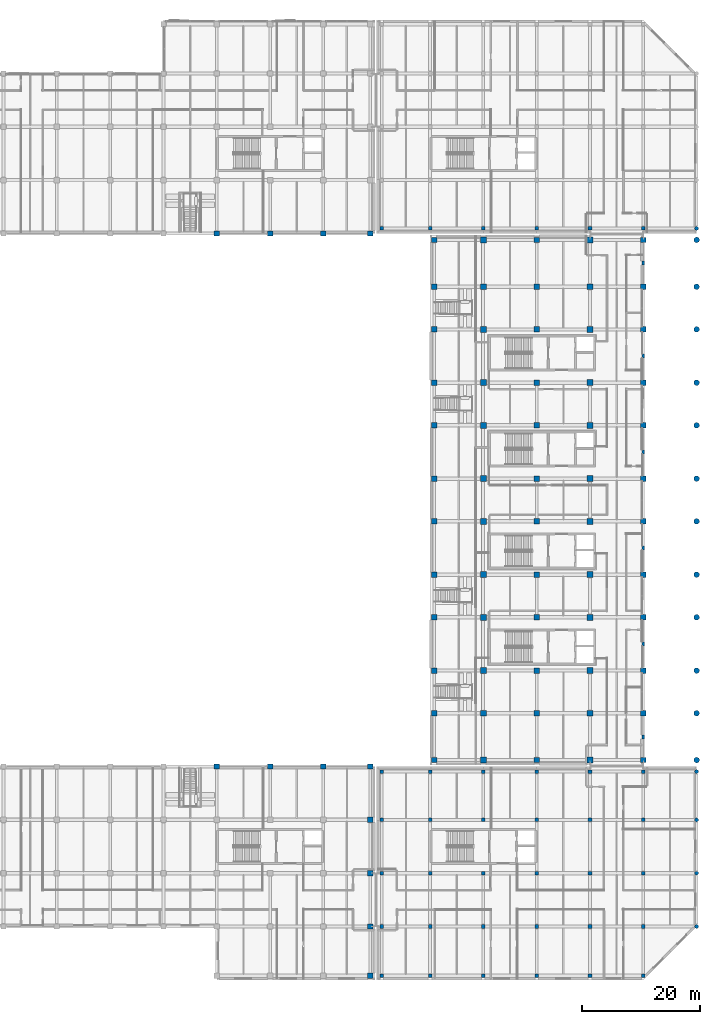
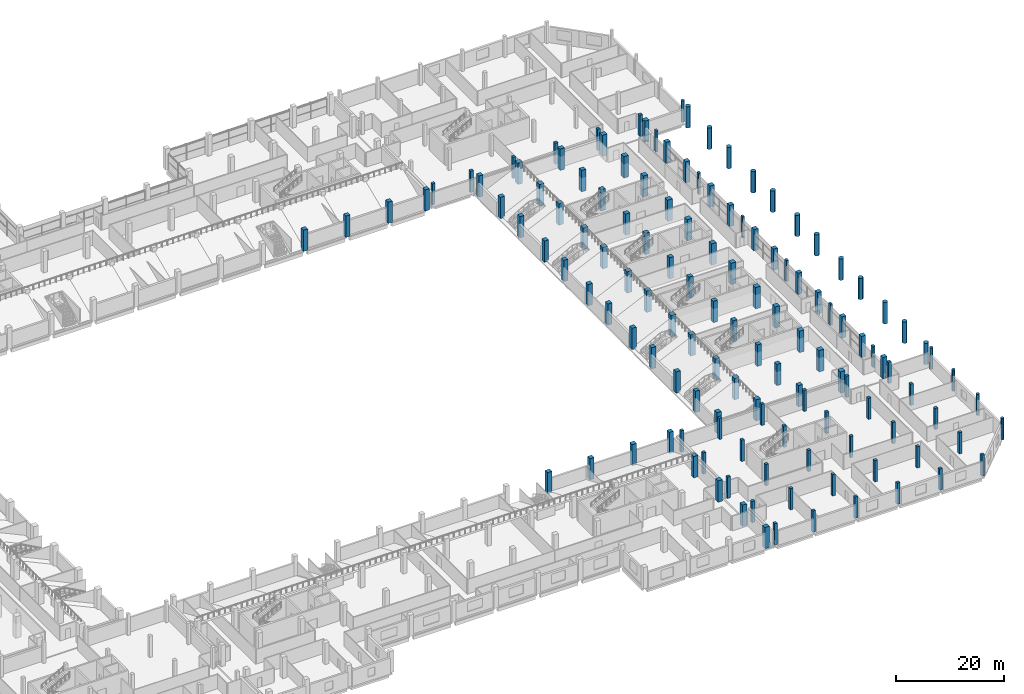
# One storey, part 2 of 100: 131 columns.
"""IFC4 building model written with IfcOpenShell, lengths in metres."""

from ifc_helpers import new_model, si_unit, direction, frame, origin, origin_2d, place, context, subcontext, project, spatial, rectangle, circle, extrude, material, material_profile, profile_set, type_object, element, save


model = new_model("IFC4")

# Units and contexts
model_context = context("Model", 3, precision=1e-05, world=origin(), true_north=direction((0.0, 1.0)))
body_context = subcontext(model_context, "Body", "Model", "MODEL_VIEW")
ifc_project = project(units=[si_unit("LENGTHUNIT", "METRE"), si_unit("AREAUNIT", "SQUARE_METRE"), si_unit("VOLUMEUNIT", "CUBIC_METRE"), si_unit("PLANEANGLEUNIT", "RADIAN"), si_unit("MASSUNIT", "GRAM", prefix="KILO"), si_unit("THERMODYNAMICTEMPERATUREUNIT", "KELVIN"), si_unit("POWERUNIT", "WATT")], contexts=[model_context])

# Site, building, storey
site_placement = place(None, origin())
site = spatial("IfcSite", under=ifc_project, at=site_placement, CompositionType="ELEMENT")
building_placement = place(site_placement, origin())
building = spatial("IfcBuilding", under=site, at=building_placement, Name="Sindhuravela Promenade Stadium", CompositionType="ELEMENT")
storey_placement = place(building_placement, frame((0.0, 0.0, 4.800048828125)))
storey = spatial("IfcBuildingStorey", under=building, at=storey_placement, Name="L01", CompositionType="ELEMENT", Elevation=4.800048828125)

# Columns
ifc_material_1 = material(Name="Concrete M50", Category="concrete")
ifc_material_profile_1 = material_profile(ifc_material_1, rectangle(XDim=1.0, YDim=1.0, at=origin_2d()), Name="RC 1000x1000")
ifc_profile_set_1 = profile_set([ifc_material_profile_1], Name="Concrete M50")
column_type_1 = type_object("IfcColumnType", Name="RC-CL-1000x1000", PredefinedType="COLUMN", material=ifc_profile_set_1)
for number, where, z_axis, x_axis, name in (
    (1, (180.0, 37.10009765625, 0.0), (0.0, 0.0, 1.0), (1.0, 0.0, 0.0), "Column C06 EAST L01"),
    (2, (180.0, 45.0, 0.0), (0.0, 0.0, 1.0), (1.0, 0.0, 0.0), "Column C06 EAST L01"),
    (3, (180.0, 52.199951171875, 0.0), (0.0, 0.0, 1.0), (1.0, 0.0, 0.0), "Column C06 EAST L01"),
    (4, (180.0, 61.199951171875, 0.0), (0.0, 0.0, 1.0), (1.0, 0.0, 0.0), "Column C06 EAST L01"),
    (5, (180.0, 68.39990234375, 0.0), (0.0, 0.0, 1.0), (1.0, 0.0, 0.0), "Column C06 EAST L01"),
    (6, (180.0, 77.39990234375, 0.0), (0.0, 0.0, 1.0), (1.0, 0.0, 0.0), "Column C06 EAST L01"),
    (7, (180.0, 84.60009765625, 0.0), (0.0, 0.0, 1.0), (1.0, 0.0, 0.0), "Column C06 EAST L01"),
    (8, (180.0, 93.60009765625, 0.0), (0.0, 0.0, 1.0), (1.0, 0.0, 0.0), "Column C06 EAST L01"),
    (9, (180.0, 100.800048828125, 0.0), (0.0, 0.0, 1.0), (1.0, 0.0, 0.0), "Column C06 EAST L01"),
    (10, (180.0, 109.800048828125, 0.0), (0.0, 0.0, 1.0), (1.0, 0.0, 0.0), "Column C06 EAST L01"),
    (11, (180.0, 117.0, 0.0), (0.0, 0.0, 1.0), (1.0, 0.0, 0.0), "Column C06 EAST L01"),
    (12, (180.0, 124.89990234375, 0.0), (0.0, 0.0, 1.0), (1.0, 0.0, 0.0), "Column C06 EAST L01"),
    (13, (198.0, 37.10009765625, 0.0), (0.0, 0.0, 1.0), (1.0, 0.0, 0.0), "Column C06 EAST L01"),
    (14, (198.0, 45.0, 0.0), (0.0, 0.0, 1.0), (1.0, 0.0, 0.0), "Column C06 EAST L01"),
    (15, (198.0, 52.199951171875, 0.0), (0.0, 0.0, 1.0), (1.0, 0.0, 0.0), "Column C06 EAST L01"),
    (16, (198.0, 61.199951171875, 0.0), (0.0, 0.0, 1.0), (1.0, 0.0, 0.0), "Column C06 EAST L01"),
    (17, (198.0, 68.39990234375, 0.0), (0.0, 0.0, 1.0), (1.0, 0.0, 0.0), "Column C06 EAST L01"),
    (18, (198.0, 77.39990234375, 0.0), (0.0, 0.0, 1.0), (1.0, 0.0, 0.0), "Column C06 EAST L01"),
    (19, (198.0, 84.60009765625, 0.0), (0.0, 0.0, 1.0), (1.0, 0.0, 0.0), "Column C06 EAST L01"),
    (20, (198.0, 93.60009765625, 0.0), (0.0, 0.0, 1.0), (1.0, 0.0, 0.0), "Column C06 EAST L01"),
    (21, (198.0, 100.800048828125, 0.0), (0.0, 0.0, 1.0), (1.0, 0.0, 0.0), "Column C06 EAST L01"),
    (22, (198.0, 109.800048828125, 0.0), (0.0, 0.0, 1.0), (1.0, 0.0, 0.0), "Column C06 EAST L01"),
    (23, (198.0, 117.0, 0.0), (0.0, 0.0, 1.0), (1.0, 0.0, 0.0), "Column C06 EAST L01"),
    (24, (198.0, 124.89990234375, 0.0), (0.0, 0.0, 1.0), (1.0, 0.0, 0.0), "Column C06 EAST L01"),
):
    element("IfcColumn", number, at=place(storey_placement, frame(where, z_axis=z_axis, x_axis=x_axis)), inside=storey, type_object=column_type_1, Name=name, PredefinedType="COLUMN", context=body_context, shape_type="SweptSolid", body=[
        extrude(rectangle(XDim=1.0, YDim=1.0, at=origin_2d()), origin(), (0.0, 0.0, 1.0), 4.800048828125),
    ])
ifc_material_2 = material(Name="Concrete M40", Category="concrete")
ifc_material_profile_2 = material_profile(ifc_material_2, rectangle(XDim=0.60009765625, YDim=0.60009765625, at=origin_2d()), Name="RC 600x600")
ifc_profile_set_2 = profile_set([ifc_material_profile_2], Name="Concrete M40")
column_type_2 = type_object("IfcColumnType", Name="RC-CL-600x600", PredefinedType="COLUMN", material=ifc_profile_set_2)
for number, where, z_axis, x_axis, name in (
    (25, (162.85009765625, 0.699951171875, 0.0), (0.0, 0.0, 1.0), (1.0, 0.0, 0.0), "Column C17 Pavilion SE L01"),
    (26, (162.85009765625, 9.0, 0.0), (0.0, 0.0, 1.0), (1.0, 0.0, 0.0), "Column C17 Pavilion SE L01"),
    (27, (162.85009765625, 18.0, 0.0), (0.0, 0.0, 1.0), (1.0, 0.0, 0.0), "Column C17 Pavilion SE L01"),
    (28, (162.85009765625, 27.0, 0.0), (0.0, 0.0, 1.0), (1.0, 0.0, 0.0), "Column C17 Pavilion SE L01"),
    (29, (162.85009765625, 35.14990234375, 0.0), (0.0, 0.0, 1.0), (1.0, 0.0, 0.0), "Column C17 Pavilion SE L01"),
    (30, (171.0, 0.699951171875, 0.0), (0.0, 0.0, 1.0), (1.0, 0.0, 0.0), "Column C17 Pavilion SE L01"),
    (31, (171.0, 9.0, 0.0), (0.0, 0.0, 1.0), (1.0, 0.0, 0.0), "Column C17 Pavilion SE L01"),
    (32, (171.0, 18.0, 0.0), (0.0, 0.0, 1.0), (1.0, 0.0, 0.0), "Column C17 Pavilion SE L01"),
    (33, (171.0, 27.0, 0.0), (0.0, 0.0, 1.0), (1.0, 0.0, 0.0), "Column C17 Pavilion SE L01"),
    (34, (171.0, 35.14990234375, 0.0), (0.0, 0.0, 1.0), (1.0, 0.0, 0.0), "Column C17 Pavilion SE L01"),
    (35, (180.0, 0.699951171875, 0.0), (0.0, 0.0, 1.0), (1.0, 0.0, 0.0), "Column C17 Pavilion SE L01"),
    (36, (180.0, 9.0, 0.0), (0.0, 0.0, 1.0), (1.0, 0.0, 0.0), "Column C17 Pavilion SE L01"),
    (37, (180.0, 18.0, 0.0), (0.0, 0.0, 1.0), (1.0, 0.0, 0.0), "Column C17 Pavilion SE L01"),
    (38, (180.0, 27.0, 0.0), (0.0, 0.0, 1.0), (1.0, 0.0, 0.0), "Column C17 Pavilion SE L01"),
    (39, (180.0, 35.14990234375, 0.0), (0.0, 0.0, 1.0), (1.0, 0.0, 0.0), "Column C17 Pavilion SE L01"),
    (40, (189.0, 0.699951171875, 0.0), (0.0, 0.0, 1.0), (1.0, 0.0, 0.0), "Column C17 Pavilion SE L01"),
    (41, (189.0, 9.0, 0.0), (0.0, 0.0, 1.0), (1.0, 0.0, 0.0), "Column C17 Pavilion SE L01"),
    (42, (189.0, 18.0, 0.0), (0.0, 0.0, 1.0), (1.0, 0.0, 0.0), "Column C17 Pavilion SE L01"),
    (43, (189.0, 27.0, 0.0), (0.0, 0.0, 1.0), (1.0, 0.0, 0.0), "Column C17 Pavilion SE L01"),
    (44, (189.0, 35.14990234375, 0.0), (0.0, 0.0, 1.0), (1.0, 0.0, 0.0), "Column C17 Pavilion SE L01"),
    (45, (198.0, 0.699951171875, 0.0), (0.0, 0.0, 1.0), (1.0, 0.0, 0.0), "Column C17 Pavilion SE L01"),
    (46, (198.0, 9.0, 0.0), (0.0, 0.0, 1.0), (1.0, 0.0, 0.0), "Column C17 Pavilion SE L01"),
    (47, (198.0, 18.0, 0.0), (0.0, 0.0, 1.0), (1.0, 0.0, 0.0), "Column C17 Pavilion SE L01"),
    (48, (198.0, 27.0, 0.0), (0.0, 0.0, 1.0), (1.0, 0.0, 0.0), "Column C17 Pavilion SE L01"),
    (49, (198.0, 35.14990234375, 0.0), (0.0, 0.0, 1.0), (1.0, 0.0, 0.0), "Column C17 Pavilion SE L01"),
    (50, (207.0, 0.699951171875, 0.0), (0.0, 0.0, 1.0), (1.0, 0.0, 0.0), "Column C17 Pavilion SE L01"),
    (51, (207.0, 9.0, 0.0), (0.0, 0.0, 1.0), (1.0, 0.0, 0.0), "Column C17 Pavilion SE L01"),
    (52, (207.0, 18.0, 0.0), (0.0, 0.0, 1.0), (1.0, 0.0, 0.0), "Column C17 Pavilion SE L01"),
    (53, (207.0, 27.0, 0.0), (0.0, 0.0, 1.0), (1.0, 0.0, 0.0), "Column C17 Pavilion SE L01"),
    (54, (207.0, 35.14990234375, 0.0), (0.0, 0.0, 1.0), (1.0, 0.0, 0.0), "Column C17 Pavilion SE L01"),
    (55, (162.85009765625, 126.85009765625, 0.0), (0.0, 0.0, 1.0), (1.0, 0.0, 0.0), "Column C17 Pavilion NE L01"),
    (56, (171.0, 126.85009765625, 0.0), (0.0, 0.0, 1.0), (1.0, 0.0, 0.0), "Column C17 Pavilion NE L01"),
    (57, (180.0, 126.85009765625, 0.0), (0.0, 0.0, 1.0), (1.0, 0.0, 0.0), "Column C17 Pavilion NE L01"),
    (58, (189.0, 126.85009765625, 0.0), (0.0, 0.0, 1.0), (1.0, 0.0, 0.0), "Column C17 Pavilion NE L01"),
    (59, (198.0, 126.85009765625, 0.0), (0.0, 0.0, 1.0), (1.0, 0.0, 0.0), "Column C17 Pavilion NE L01"),
    (60, (207.0, 126.85009765625, 0.0), (0.0, 0.0, 1.0), (1.0, 0.0, 0.0), "Column C17 Pavilion NE L01"),
):
    element("IfcColumn", number, at=place(storey_placement, frame(where, z_axis=z_axis, x_axis=x_axis)), inside=storey, type_object=column_type_2, Name=name, PredefinedType="COLUMN", context=body_context, shape_type="SweptSolid", body=[
        extrude(rectangle(XDim=0.60009765625, YDim=0.60009765625, at=origin_2d()), origin(), (0.0, 0.0, 1.0), 4.800048828125),
    ])
ifc_material_profile_3 = material_profile(ifc_material_2, rectangle(XDim=0.89990234375, YDim=0.89990234375, at=origin_2d()), Name="RC 900x900")
ifc_profile_set_3 = profile_set([ifc_material_profile_3], Name="Concrete M40")
column_type_3 = type_object("IfcColumnType", Name="RC-CL-900x900", PredefinedType="COLUMN", material=ifc_profile_set_3)
for number, where, z_axis, x_axis, name in (
    (61, (171.699951171875, 37.10009765625, 0.0), (0.0, 0.0, 1.0), (1.0, 0.0, 0.0), "Column C08 EAST L01"),
    (62, (171.699951171875, 45.0, 0.0), (0.0, 0.0, 1.0), (1.0, 0.0, 0.0), "Column C08 EAST L01"),
    (63, (171.699951171875, 52.199951171875, 0.0), (0.0, 0.0, 1.0), (1.0, 0.0, 0.0), "Column C08 EAST L01"),
    (64, (171.699951171875, 61.199951171875, 0.0), (0.0, 0.0, 1.0), (1.0, 0.0, 0.0), "Column C08 EAST L01"),
    (65, (171.699951171875, 68.39990234375, 0.0), (0.0, 0.0, 1.0), (1.0, 0.0, 0.0), "Column C08 EAST L01"),
    (66, (171.699951171875, 77.39990234375, 0.0), (0.0, 0.0, 1.0), (1.0, 0.0, 0.0), "Column C08 EAST L01"),
    (67, (171.699951171875, 84.60009765625, 0.0), (0.0, 0.0, 1.0), (1.0, 0.0, 0.0), "Column C08 EAST L01"),
    (68, (171.699951171875, 93.60009765625, 0.0), (0.0, 0.0, 1.0), (1.0, 0.0, 0.0), "Column C08 EAST L01"),
    (69, (171.699951171875, 100.800048828125, 0.0), (0.0, 0.0, 1.0), (1.0, 0.0, 0.0), "Column C08 EAST L01"),
    (70, (171.699951171875, 109.800048828125, 0.0), (0.0, 0.0, 1.0), (1.0, 0.0, 0.0), "Column C08 EAST L01"),
    (71, (171.699951171875, 117.0, 0.0), (0.0, 0.0, 1.0), (1.0, 0.0, 0.0), "Column C08 EAST L01"),
    (72, (171.699951171875, 124.89990234375, 0.0), (0.0, 0.0, 1.0), (1.0, 0.0, 0.0), "Column C08 EAST L01"),
    (73, (189.0, 37.10009765625, 0.0), (0.0, 0.0, 1.0), (1.0, 0.0, 0.0), "Column C08 EAST L01"),
    (74, (189.0, 45.0, 0.0), (0.0, 0.0, 1.0), (1.0, 0.0, 0.0), "Column C08 EAST L01"),
    (75, (189.0, 52.199951171875, 0.0), (0.0, 0.0, 1.0), (1.0, 0.0, 0.0), "Column C08 EAST L01"),
    (76, (189.0, 61.199951171875, 0.0), (0.0, 0.0, 1.0), (1.0, 0.0, 0.0), "Column C08 EAST L01"),
    (77, (189.0, 68.39990234375, 0.0), (0.0, 0.0, 1.0), (1.0, 0.0, 0.0), "Column C08 EAST L01"),
    (78, (189.0, 77.39990234375, 0.0), (0.0, 0.0, 1.0), (1.0, 0.0, 0.0), "Column C08 EAST L01"),
    (79, (189.0, 84.60009765625, 0.0), (0.0, 0.0, 1.0), (1.0, 0.0, 0.0), "Column C08 EAST L01"),
    (80, (189.0, 93.60009765625, 0.0), (0.0, 0.0, 1.0), (1.0, 0.0, 0.0), "Column C08 EAST L01"),
    (81, (189.0, 100.800048828125, 0.0), (0.0, 0.0, 1.0), (1.0, 0.0, 0.0), "Column C08 EAST L01"),
    (82, (189.0, 109.800048828125, 0.0), (0.0, 0.0, 1.0), (1.0, 0.0, 0.0), "Column C08 EAST L01"),
    (83, (189.0, 117.0, 0.0), (0.0, 0.0, 1.0), (1.0, 0.0, 0.0), "Column C08 EAST L01"),
    (84, (189.0, 124.89990234375, 0.0), (0.0, 0.0, 1.0), (1.0, 0.0, 0.0), "Column C08 EAST L01"),
    (85, (207.0, 37.10009765625, 0.0), (0.0, 0.0, 1.0), (1.0, 0.0, 0.0), "Column C08 EAST L01"),
    (86, (207.0, 45.0, 0.0), (0.0, 0.0, 1.0), (1.0, 0.0, 0.0), "Column C08 EAST L01"),
    (87, (207.0, 52.199951171875, 0.0), (0.0, 0.0, 1.0), (1.0, 0.0, 0.0), "Column C08 EAST L01"),
    (88, (207.0, 61.199951171875, 0.0), (0.0, 0.0, 1.0), (1.0, 0.0, 0.0), "Column C08 EAST L01"),
    (89, (207.0, 68.39990234375, 0.0), (0.0, 0.0, 1.0), (1.0, 0.0, 0.0), "Column C08 EAST L01"),
    (90, (207.0, 77.39990234375, 0.0), (0.0, 0.0, 1.0), (1.0, 0.0, 0.0), "Column C08 EAST L01"),
    (91, (207.0, 84.60009765625, 0.0), (0.0, 0.0, 1.0), (1.0, 0.0, 0.0), "Column C08 EAST L01"),
    (92, (207.0, 93.60009765625, 0.0), (0.0, 0.0, 1.0), (1.0, 0.0, 0.0), "Column C08 EAST L01"),
    (93, (207.0, 100.800048828125, 0.0), (0.0, 0.0, 1.0), (1.0, 0.0, 0.0), "Column C08 EAST L01"),
    (94, (207.0, 109.800048828125, 0.0), (0.0, 0.0, 1.0), (1.0, 0.0, 0.0), "Column C08 EAST L01"),
    (95, (207.0, 117.0, 0.0), (0.0, 0.0, 1.0), (1.0, 0.0, 0.0), "Column C08 EAST L01"),
    (96, (207.0, 124.89990234375, 0.0), (0.0, 0.0, 1.0), (1.0, 0.0, 0.0), "Column C08 EAST L01"),
    (97, (135.0, 126.0, 0.0), (0.0, 0.0, 1.0), (1.0, 0.0, 0.0), "Column C08 NORTH L01"),
    (98, (144.0, 126.0, 0.0), (0.0, 0.0, 1.0), (1.0, 0.0, 0.0), "Column C08 NORTH L01"),
    (99, (153.0, 126.0, 0.0), (0.0, 0.0, 1.0), (1.0, 0.0, 0.0), "Column C08 NORTH L01"),
    (100, (160.89990234375, 126.0, 0.0), (0.0, 0.0, 1.0), (1.0, 0.0, 0.0), "Column C08 NORTH L01"),
    (101, (135.0, 36.0, 0.0), (0.0, 0.0, 1.0), (1.0, 0.0, 0.0), "Column C08 SOUTH L01"),
    (102, (144.0, 36.0, 0.0), (0.0, 0.0, 1.0), (1.0, 0.0, 0.0), "Column C08 SOUTH L01"),
    (103, (153.0, 36.0, 0.0), (0.0, 0.0, 1.0), (1.0, 0.0, 0.0), "Column C08 SOUTH L01"),
    (104, (160.89990234375, 0.699951171875, 0.0), (0.0, 0.0, 1.0), (1.0, 0.0, 0.0), "Column C08 SOUTH L01"),
    (105, (160.89990234375, 9.0, 0.0), (0.0, 0.0, 1.0), (1.0, 0.0, 0.0), "Column C08 SOUTH L01"),
    (106, (160.89990234375, 18.0, 0.0), (0.0, 0.0, 1.0), (1.0, 0.0, 0.0), "Column C08 SOUTH L01"),
    (107, (160.89990234375, 27.0, 0.0), (0.0, 0.0, 1.0), (1.0, 0.0, 0.0), "Column C08 SOUTH L01"),
    (108, (160.89990234375, 36.0, 0.0), (0.0, 0.0, 1.0), (1.0, 0.0, 0.0), "Column C08 SOUTH L01"),
):
    element("IfcColumn", number, at=place(storey_placement, frame(where, z_axis=z_axis, x_axis=x_axis)), inside=storey, type_object=column_type_3, Name=name, PredefinedType="COLUMN", context=body_context, shape_type="SweptSolid", body=[
        extrude(rectangle(XDim=0.89990234375, YDim=0.89990234375, at=origin_2d()), origin(), (0.0, 0.0, 1.0), 4.800048828125),
    ])
ifc_material_profile_4 = material_profile(ifc_material_2, circle(Radius=0.324951171875, at=origin_2d()), Name="RC D650")
ifc_profile_set_4 = profile_set([ifc_material_profile_4], Name="Concrete M40")
column_type_4 = type_object("IfcColumnType", Name="RC-CL-D650", PredefinedType="COLUMN", material=ifc_profile_set_4)
for number, where, z_axis, x_axis, name in (
    (109, (216.0, 9.0, 0.0), (0.0, 0.0, 1.0), (1.0, 0.0, 0.0), "Column CD4 Pavilion SE L01"),
    (110, (216.0, 18.0, 0.0), (0.0, 0.0, 1.0), (1.0, 0.0, 0.0), "Column CD4 Pavilion SE L01"),
    (111, (216.0, 27.0, 0.0), (0.0, 0.0, 1.0), (1.0, 0.0, 0.0), "Column CD4 Pavilion SE L01"),
    (112, (216.0, 35.14990234375, 0.0), (0.0, 0.0, 1.0), (1.0, 0.0, 0.0), "Column CD4 Pavilion SE L01"),
    (113, (216.0, 126.85009765625, 0.0), (0.0, 0.0, 1.0), (1.0, 0.0, 0.0), "Column CD4 Pavilion NE L01"),
):
    element("IfcColumn", number, at=place(storey_placement, frame(where, z_axis=z_axis, x_axis=x_axis)), inside=storey, type_object=column_type_4, Name=name, PredefinedType="COLUMN", context=body_context, shape_type="SweptSolid", body=[
        extrude(circle(Radius=0.324951171875, at=origin_2d()), origin(), (0.0, 0.0, 1.0), 4.800048828125),
    ])
ifc_material_profile_5 = material_profile(ifc_material_1, circle(Radius=0.47509765625, at=origin_2d()), Name="RC D950")
ifc_profile_set_5 = profile_set([ifc_material_profile_5], Name="Concrete M50")
column_type_5 = type_object("IfcColumnType", Name="RC-CL-D950", PredefinedType="COLUMN", material=ifc_profile_set_5)
for number, where, z_axis, x_axis, name in (
    (114, (216.0, 37.10009765625, 0.0), (0.0, 0.0, 1.0), (1.0, 0.0, 0.0), "Column CD2 EAST L01"),
    (115, (216.0, 45.0, 0.0), (0.0, 0.0, 1.0), (1.0, 0.0, 0.0), "Column CD2 EAST L01"),
    (116, (216.0, 52.199951171875, 0.0), (0.0, 0.0, 1.0), (1.0, 0.0, 0.0), "Column CD2 EAST L01"),
    (117, (216.0, 61.199951171875, 0.0), (0.0, 0.0, 1.0), (1.0, 0.0, 0.0), "Column CD2 EAST L01"),
    (118, (216.0, 68.39990234375, 0.0), (0.0, 0.0, 1.0), (1.0, 0.0, 0.0), "Column CD2 EAST L01"),
    (119, (216.0, 77.39990234375, 0.0), (0.0, 0.0, 1.0), (1.0, 0.0, 0.0), "Column CD2 EAST L01"),
    (120, (216.0, 84.60009765625, 0.0), (0.0, 0.0, 1.0), (1.0, 0.0, 0.0), "Column CD2 EAST L01"),
    (121, (216.0, 93.60009765625, 0.0), (0.0, 0.0, 1.0), (1.0, 0.0, 0.0), "Column CD2 EAST L01"),
    (122, (216.0, 100.800048828125, 0.0), (0.0, 0.0, 1.0), (1.0, 0.0, 0.0), "Column CD2 EAST L01"),
    (123, (216.0, 109.800048828125, 0.0), (0.0, 0.0, 1.0), (1.0, 0.0, 0.0), "Column CD2 EAST L01"),
    (124, (216.0, 117.0, 0.0), (0.0, 0.0, 1.0), (1.0, 0.0, 0.0), "Column CD2 EAST L01"),
    (125, (216.0, 124.89990234375, 0.0), (0.0, 0.0, 1.0), (1.0, 0.0, 0.0), "Column CD2 EAST L01"),
):
    element("IfcColumn", number, at=place(storey_placement, frame(where, z_axis=z_axis, x_axis=x_axis)), inside=storey, type_object=column_type_5, Name=name, PredefinedType="COLUMN", context=body_context, shape_type="SweptSolid", body=[
        extrude(circle(Radius=0.47509765625, at=origin_2d()), origin(), (0.0, 0.0, 1.0), 4.800048828125),
    ])
ifc_material_profile_6 = material_profile(ifc_material_2, rectangle(XDim=0.449951171875, YDim=0.64990234375, at=origin_2d()), Name="PIL 450x650")
ifc_profile_set_6 = profile_set([ifc_material_profile_6], Name="Concrete M40")
column_type_6 = type_object("IfcColumnType", Name="RC-PL-450x650", PredefinedType="PILASTER", material=ifc_profile_set_6)
for number, where, z_axis, x_axis, name in (
    (126, (207.0, 41.0, 0.0), (0.0, 0.0, 1.0), (1.0, 0.0, 0.0), "Fluted pilaster PL2 EAST L01"),
    (127, (207.0, 56.699951171875, 0.0), (0.0, 0.0, 1.0), (1.0, 0.0, 0.0), "Fluted pilaster PL2 EAST L01"),
    (128, (207.0, 72.89990234375, 0.0), (0.0, 0.0, 1.0), (1.0, 0.0, 0.0), "Fluted pilaster PL2 EAST L01"),
    (129, (207.0, 89.10009765625, 0.0), (0.0, 0.0, 1.0), (1.0, 0.0, 0.0), "Fluted pilaster PL2 EAST L01"),
    (130, (207.0, 105.300048828125, 0.0), (0.0, 0.0, 1.0), (1.0, 0.0, 0.0), "Fluted pilaster PL2 EAST L01"),
    (131, (207.0, 121.0, 0.0), (0.0, 0.0, 1.0), (1.0, 0.0, 0.0), "Fluted pilaster PL2 EAST L01"),
):
    element("IfcColumn", number, at=place(storey_placement, frame(where, z_axis=z_axis, x_axis=x_axis)), inside=storey, type_object=column_type_6, Name=name, PredefinedType="PILASTER", context=body_context, shape_type="SweptSolid", body=[
        extrude(rectangle(XDim=0.449951171875, YDim=0.64990234375, at=origin_2d()), origin(), (0.0, 0.0, 1.0), 4.800048828125),
    ])

save(model, "model.ifc")
